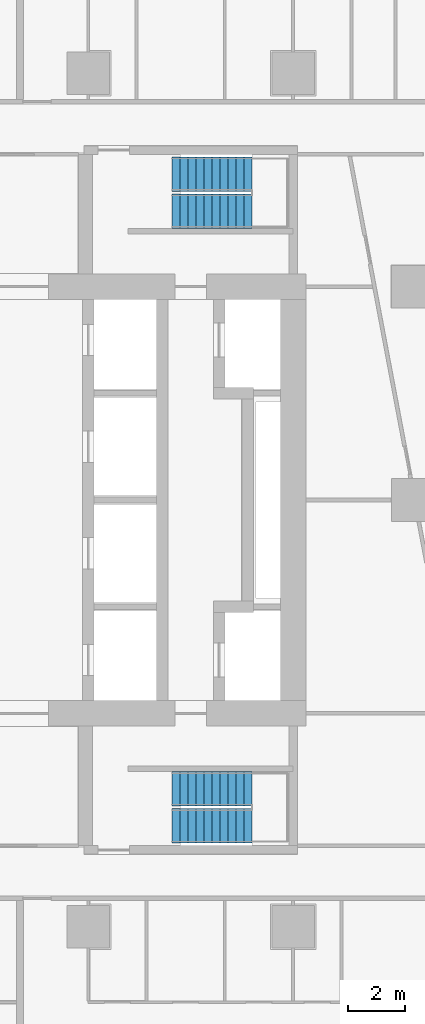
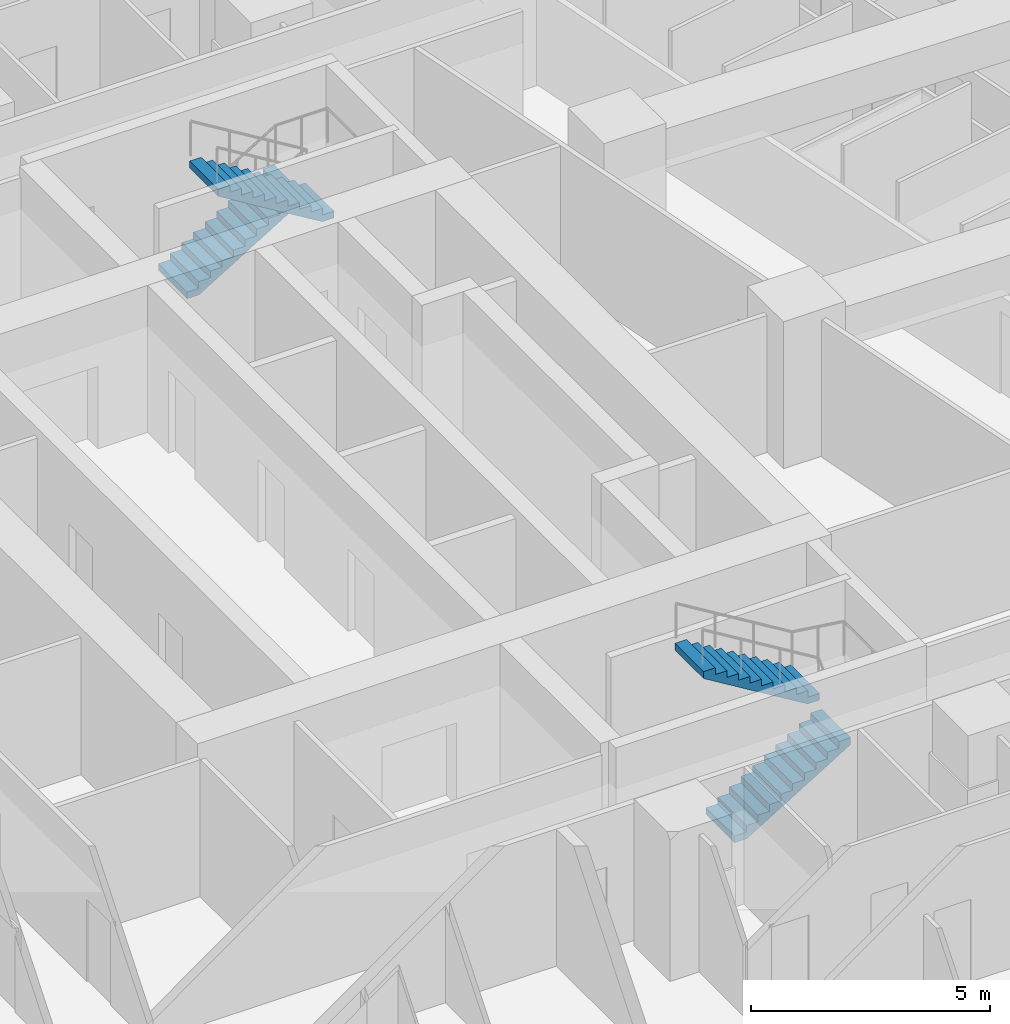
# One storey, part 13 of 15: 4 stair flights, 2 elements without a shape of their own.
"""IFC4 building model written with IfcOpenShell, lengths in metres."""

from ifc_helpers import new_model, si_unit, direction, frame, origin, place, context, subcontext, project, spatial, triangles, material, type_object, element, aggregate, save


model = new_model("IFC4")

# Units and contexts
model_context = context("Model", 3, precision=1e-05, world=origin(), true_north=direction((0.0, 1.0)))
body_context = subcontext(model_context, "Body", "Model", "MODEL_VIEW")
ifc_project = project(units=[si_unit("LENGTHUNIT", "METRE"), si_unit("AREAUNIT", "SQUARE_METRE"), si_unit("VOLUMEUNIT", "CUBIC_METRE"), si_unit("PLANEANGLEUNIT", "RADIAN"), si_unit("MASSUNIT", "GRAM", prefix="KILO")], contexts=[model_context])

# Site, building, storey
site_placement = place(None, origin())
site = spatial("IfcSite", under=ifc_project, at=site_placement, CompositionType="ELEMENT")
building_placement = place(site_placement, origin())
building = spatial("IfcBuilding", under=site, at=building_placement, Name="Sheger Commons Tower", CompositionType="ELEMENT")
storey_placement = place(building_placement, frame((0.0, 0.0, 158.300048828125)))
storey = spatial("IfcBuildingStorey", under=building, at=storey_placement, Name="L40", CompositionType="ELEMENT", Elevation=158.300048828125)

# Stair, stair flights
ifc_material_1 = material(Name="Concrete C35/45", Category="concrete")
stair_type = type_object("IfcStairType", Name="HALF-TURN STAIR 1200 RISE 3750", PredefinedType="HALF_TURN_STAIR", material=ifc_material_1)
stair_1_placement = place(storey_placement, origin())
stair_1 = element("IfcStair", 1, at=stair_1_placement, inside=storey, type_object=stair_type, Name="Stair S1 L40", PredefinedType="HALF_TURN_STAIR")
ifc_material_2 = material(Name="Concrete C35/45", Category="concrete")
stair_flight_type = type_object("IfcStairFlightType", Name="STAIR FLIGHT 1200 11 RISERS OF 170", PredefinedType="STRAIGHT", material=ifc_material_2)
stair_flight_1_placement = place(storey_placement, frame((24.550048828125, 11.050048828125, 0.0), z_axis=(0.0, 0.0, 1.0), x_axis=(1.0, 0.0, 0.0)))
stair_flight_1 = element("IfcStairFlight", 2, at=stair_flight_1_placement, type_object=stair_flight_type, Name="S1 flight 1", NumberOfRisers=11, NumberOfTreads=10, PredefinedType="STRAIGHT", RiserHeight=0.170454545, TreadLength=0.28, context=body_context, shape_type="Tessellation", body=[
    triangles([(0.0, 0.5999755859375, 0.0), (0.0, 0.5999755859375, 0.17041015625), (0.280029296875, 0.5999755859375, 0.17041015625), (0.280029296875, 0.5999755859375, 0.3408203125), (0.56005859375, 0.5999755859375, 0.3408203125), (0.56005859375, 0.5999755859375, 0.511474609375), (0.840087890625, 0.5999755859375, 0.511474609375), (0.840087890625, 0.5999755859375, 0.681884765625), (1.1201171875, 0.5999755859375, 0.681884765625), (1.1201171875, 0.5999755859375, 0.852294921875), (1.39990234375, 0.5999755859375, 0.852294921875), (1.39990234375, 0.5999755859375, 1.022705078125), (1.679931640625, 0.5999755859375, 1.022705078125), (1.679931640625, 0.5999755859375, 1.193115234375), (1.9599609375, 0.5999755859375, 1.193115234375), (1.9599609375, 0.5999755859375, 1.363525390625), (2.239990234375, 0.5999755859375, 1.363525390625), (2.239990234375, 0.5999755859375, 1.5341796875), (2.52001953125, 0.5999755859375, 1.5341796875), (2.52001953125, 0.5999755859375, 1.70458984375), (2.800048828125, 0.5999755859375, 1.70458984375), (2.800048828125, 0.5999755859375, 1.529052734375), (0.288330078125, 0.5999755859375, 0.0), (0.0, -0.5999755859375, 0.0), (0.0, -0.5999755859375, 0.17041015625), (0.280029296875, -0.5999755859375, 0.17041015625), (0.280029296875, -0.5999755859375, 0.3408203125), (0.56005859375, -0.5999755859375, 0.3408203125), (0.56005859375, -0.5999755859375, 0.511474609375), (0.840087890625, -0.5999755859375, 0.511474609375), (0.840087890625, -0.5999755859375, 0.681884765625), (1.1201171875, -0.5999755859375, 0.681884765625), (1.1201171875, -0.5999755859375, 0.852294921875), (1.39990234375, -0.5999755859375, 0.852294921875), (1.39990234375, -0.5999755859375, 1.022705078125), (1.679931640625, -0.5999755859375, 1.022705078125), (1.679931640625, -0.5999755859375, 1.193115234375), (1.9599609375, -0.5999755859375, 1.193115234375), (1.9599609375, -0.5999755859375, 1.363525390625), (2.239990234375, -0.5999755859375, 1.363525390625), (2.239990234375, -0.5999755859375, 1.5341796875), (2.52001953125, -0.5999755859375, 1.5341796875), (2.52001953125, -0.5999755859375, 1.70458984375), (2.800048828125, -0.5999755859375, 1.70458984375), (2.800048828125, -0.5999755859375, 1.529052734375), (0.288330078125, -0.5999755859375, 0.0), (0.0, 0.0, 0.085205078125), (0.1400146484375, 0.0, 0.17041015625), (0.280029296875, 0.0, 0.255615234375), (0.4200439453125, 0.0, 0.3408203125), (0.56005859375, 0.0, 0.4261474609375), (0.7000732421875, 0.0, 0.511474609375), (0.840087890625, 0.0, 0.5966796875), (0.9801025390625, 0.0, 0.681884765625), (1.1201171875, 0.0, 0.76708984375), (1.260009765625, 0.0, 0.852294921875), (1.39990234375, 0.0, 0.9375), (1.5399169921875, 0.0, 1.022705078125), (1.679931640625, 0.0, 1.10791015625), (1.8199462890625, 0.0, 1.193115234375), (1.9599609375, 0.0, 1.2783203125), (2.0999755859375, 0.0, 1.363525390625), (2.239990234375, 0.0, 1.4488525390625), (2.3800048828125, 0.0, 1.5341796875), (2.52001953125, 0.0, 1.619384765625), (2.6600341796875, 0.0, 1.70458984375), (2.800048828125, 0.0, 1.6168212890625), (1.544189453125, 0.0, 0.7645263671875), (0.1441650390625, 0.0, 0.0)], [[1, 22, 23], [24, 46, 45], [22, 20, 21], [45, 44, 43], [22, 19, 20], [45, 43, 42], [22, 18, 19], [45, 42, 41], [22, 17, 18], [45, 41, 40], [17, 15, 16], [40, 39, 38], [22, 15, 17], [45, 40, 38], [15, 13, 14], [38, 37, 36], [22, 13, 15], [45, 38, 36], [13, 11, 12], [36, 35, 34], [22, 11, 13], [45, 36, 34], [11, 9, 10], [34, 33, 32], [22, 9, 11], [45, 34, 32], [9, 7, 8], [32, 31, 30], [22, 7, 9], [45, 32, 30], [7, 5, 6], [30, 29, 28], [22, 5, 7], [45, 30, 28], [5, 3, 4], [28, 27, 26], [22, 3, 5], [45, 28, 26], [1, 3, 22], [24, 45, 26], [3, 1, 2], [26, 25, 24], [1, 47, 2], [2, 47, 25], [25, 47, 24], [24, 47, 1], [2, 48, 3], [3, 48, 26], [26, 48, 25], [25, 48, 2], [3, 49, 4], [4, 49, 27], [27, 49, 26], [26, 49, 3], [4, 50, 5], [5, 50, 28], [28, 50, 27], [27, 50, 4], [5, 51, 6], [6, 51, 29], [29, 51, 28], [28, 51, 5], [6, 52, 7], [7, 52, 30], [30, 52, 29], [29, 52, 6], [7, 53, 8], [8, 53, 31], [31, 53, 30], [30, 53, 7], [8, 54, 9], [9, 54, 32], [32, 54, 31], [31, 54, 8], [9, 55, 10], [10, 55, 33], [33, 55, 32], [32, 55, 9], [10, 56, 11], [11, 56, 34], [34, 56, 33], [33, 56, 10], [11, 57, 12], [12, 57, 35], [35, 57, 34], [34, 57, 11], [12, 58, 13], [13, 58, 36], [36, 58, 35], [35, 58, 12], [13, 59, 14], [14, 59, 37], [37, 59, 36], [36, 59, 13], [14, 60, 15], [15, 60, 38], [38, 60, 37], [37, 60, 14], [15, 61, 16], [16, 61, 39], [39, 61, 38], [38, 61, 15], [16, 62, 17], [17, 62, 40], [40, 62, 39], [39, 62, 16], [17, 63, 18], [18, 63, 41], [41, 63, 40], [40, 63, 17], [18, 64, 19], [19, 64, 42], [42, 64, 41], [41, 64, 18], [19, 65, 20], [20, 65, 43], [43, 65, 42], [42, 65, 19], [20, 66, 21], [21, 66, 44], [44, 66, 43], [43, 66, 20], [21, 67, 22], [22, 67, 45], [45, 67, 44], [44, 67, 21], [22, 68, 23], [23, 68, 46], [46, 68, 45], [45, 68, 22], [23, 69, 1], [1, 69, 24], [24, 69, 46], [46, 69, 23]], closed=True),
])
stair_flight_2_placement = place(storey_placement, frame((27.35009765625, 12.35009765625, 1.875), z_axis=(0.0, 0.0, 1.0), x_axis=(-1.0, 0.0, 0.0)))
stair_flight_2 = element("IfcStairFlight", 3, at=stair_flight_2_placement, type_object=stair_flight_type, Name="S1 flight 2", NumberOfRisers=11, NumberOfTreads=10, PredefinedType="STRAIGHT", RiserHeight=0.170454545, TreadLength=0.28, context=body_context, shape_type="Tessellation", body=[
    triangles([(0.0, 0.5999755859375, 0.0), (0.0, 0.5999755859375, 0.17041015625), (0.280029296875, 0.5999755859375, 0.17041015625), (0.280029296875, 0.5999755859375, 0.3408203125), (0.56005859375, 0.5999755859375, 0.3408203125), (0.56005859375, 0.5999755859375, 0.511474609375), (0.840087890625, 0.5999755859375, 0.511474609375), (0.840087890625, 0.5999755859375, 0.681884765625), (1.1201171875, 0.5999755859375, 0.681884765625), (1.1201171875, 0.5999755859375, 0.852294921875), (1.39990234375, 0.5999755859375, 0.852294921875), (1.39990234375, 0.5999755859375, 1.022705078125), (1.679931640625, 0.5999755859375, 1.022705078125), (1.679931640625, 0.5999755859375, 1.193115234375), (1.9599609375, 0.5999755859375, 1.193115234375), (1.9599609375, 0.5999755859375, 1.363525390625), (2.239990234375, 0.5999755859375, 1.363525390625), (2.239990234375, 0.5999755859375, 1.5341796875), (2.52001953125, 0.5999755859375, 1.5341796875), (2.52001953125, 0.5999755859375, 1.70458984375), (2.800048828125, 0.5999755859375, 1.70458984375), (2.800048828125, 0.5999755859375, 1.529052734375), (0.288330078125, 0.5999755859375, 0.0), (0.0, -0.5999755859375, 0.0), (0.0, -0.5999755859375, 0.17041015625), (0.280029296875, -0.5999755859375, 0.17041015625), (0.280029296875, -0.5999755859375, 0.3408203125), (0.56005859375, -0.5999755859375, 0.3408203125), (0.56005859375, -0.5999755859375, 0.511474609375), (0.840087890625, -0.5999755859375, 0.511474609375), (0.840087890625, -0.5999755859375, 0.681884765625), (1.1201171875, -0.5999755859375, 0.681884765625), (1.1201171875, -0.5999755859375, 0.852294921875), (1.39990234375, -0.5999755859375, 0.852294921875), (1.39990234375, -0.5999755859375, 1.022705078125), (1.679931640625, -0.5999755859375, 1.022705078125), (1.679931640625, -0.5999755859375, 1.193115234375), (1.9599609375, -0.5999755859375, 1.193115234375), (1.9599609375, -0.5999755859375, 1.363525390625), (2.239990234375, -0.5999755859375, 1.363525390625), (2.239990234375, -0.5999755859375, 1.5341796875), (2.52001953125, -0.5999755859375, 1.5341796875), (2.52001953125, -0.5999755859375, 1.70458984375), (2.800048828125, -0.5999755859375, 1.70458984375), (2.800048828125, -0.5999755859375, 1.529052734375), (0.288330078125, -0.5999755859375, 0.0), (0.0, 0.0, 0.085205078125), (0.1400146484375, 0.0, 0.17041015625), (0.280029296875, 0.0, 0.255615234375), (0.4200439453125, 0.0, 0.3408203125), (0.56005859375, 0.0, 0.4261474609375), (0.7000732421875, 0.0, 0.511474609375), (0.840087890625, 0.0, 0.5966796875), (0.9801025390625, 0.0, 0.681884765625), (1.1201171875, 0.0, 0.76708984375), (1.260009765625, 0.0, 0.852294921875), (1.39990234375, 0.0, 0.9375), (1.5399169921875, 0.0, 1.022705078125), (1.679931640625, 0.0, 1.10791015625), (1.8199462890625, 0.0, 1.193115234375), (1.9599609375, 0.0, 1.2783203125), (2.0999755859375, 0.0, 1.363525390625), (2.239990234375, 0.0, 1.4488525390625), (2.3800048828125, 0.0, 1.5341796875), (2.52001953125, 0.0, 1.619384765625), (2.6600341796875, 0.0, 1.70458984375), (2.800048828125, 0.0, 1.6168212890625), (1.544189453125, 0.0, 0.7645263671875), (0.1441650390625, 0.0, 0.0)], [[1, 22, 23], [24, 46, 45], [22, 20, 21], [45, 44, 43], [22, 19, 20], [45, 43, 42], [22, 18, 19], [45, 42, 41], [22, 17, 18], [45, 41, 40], [17, 15, 16], [40, 39, 38], [22, 15, 17], [45, 40, 38], [15, 13, 14], [38, 37, 36], [22, 13, 15], [45, 38, 36], [13, 11, 12], [36, 35, 34], [22, 11, 13], [45, 36, 34], [11, 9, 10], [34, 33, 32], [22, 9, 11], [45, 34, 32], [9, 7, 8], [32, 31, 30], [22, 7, 9], [45, 32, 30], [7, 5, 6], [30, 29, 28], [22, 5, 7], [45, 30, 28], [5, 3, 4], [28, 27, 26], [22, 3, 5], [45, 28, 26], [1, 3, 22], [24, 45, 26], [3, 1, 2], [26, 25, 24], [1, 47, 2], [2, 47, 25], [25, 47, 24], [24, 47, 1], [2, 48, 3], [3, 48, 26], [26, 48, 25], [25, 48, 2], [3, 49, 4], [4, 49, 27], [27, 49, 26], [26, 49, 3], [4, 50, 5], [5, 50, 28], [28, 50, 27], [27, 50, 4], [5, 51, 6], [6, 51, 29], [29, 51, 28], [28, 51, 5], [6, 52, 7], [7, 52, 30], [30, 52, 29], [29, 52, 6], [7, 53, 8], [8, 53, 31], [31, 53, 30], [30, 53, 7], [8, 54, 9], [9, 54, 32], [32, 54, 31], [31, 54, 8], [9, 55, 10], [10, 55, 33], [33, 55, 32], [32, 55, 9], [10, 56, 11], [11, 56, 34], [34, 56, 33], [33, 56, 10], [11, 57, 12], [12, 57, 35], [35, 57, 34], [34, 57, 11], [12, 58, 13], [13, 58, 36], [36, 58, 35], [35, 58, 12], [13, 59, 14], [14, 59, 37], [37, 59, 36], [36, 59, 13], [14, 60, 15], [15, 60, 38], [38, 60, 37], [37, 60, 14], [15, 61, 16], [16, 61, 39], [39, 61, 38], [38, 61, 15], [16, 62, 17], [17, 62, 40], [40, 62, 39], [39, 62, 16], [17, 63, 18], [18, 63, 41], [41, 63, 40], [40, 63, 17], [18, 64, 19], [19, 64, 42], [42, 64, 41], [41, 64, 18], [19, 65, 20], [20, 65, 43], [43, 65, 42], [42, 65, 19], [20, 66, 21], [21, 66, 44], [44, 66, 43], [43, 66, 20], [21, 67, 22], [22, 67, 45], [45, 67, 44], [44, 67, 21], [22, 68, 23], [23, 68, 46], [46, 68, 45], [45, 68, 22], [23, 69, 1], [1, 69, 24], [24, 69, 46], [46, 69, 23]], closed=True),
])
aggregate(stair_1, [stair_flight_1, stair_flight_2])

stair_2_placement = place(storey_placement, origin())
stair_2 = element("IfcStair", 4, at=stair_2_placement, inside=storey, type_object=stair_type, Name="Stair S2 L40", PredefinedType="HALF_TURN_STAIR")
stair_flight_3_placement = place(storey_placement, frame((24.550048828125, 33.949951171875, 0.0), z_axis=(0.0, 0.0, 1.0), x_axis=(1.0, 0.0, 0.0)))
stair_flight_3 = element("IfcStairFlight", 5, at=stair_flight_3_placement, type_object=stair_flight_type, Name="S2 flight 1", NumberOfRisers=11, NumberOfTreads=10, PredefinedType="STRAIGHT", RiserHeight=0.170454545, TreadLength=0.28, context=body_context, shape_type="Tessellation", body=[
    triangles([(0.0, 0.5999755859375, 0.0), (0.0, 0.5999755859375, 0.17041015625), (0.280029296875, 0.5999755859375, 0.17041015625), (0.280029296875, 0.5999755859375, 0.3408203125), (0.56005859375, 0.5999755859375, 0.3408203125), (0.56005859375, 0.5999755859375, 0.511474609375), (0.840087890625, 0.5999755859375, 0.511474609375), (0.840087890625, 0.5999755859375, 0.681884765625), (1.1201171875, 0.5999755859375, 0.681884765625), (1.1201171875, 0.5999755859375, 0.852294921875), (1.39990234375, 0.5999755859375, 0.852294921875), (1.39990234375, 0.5999755859375, 1.022705078125), (1.679931640625, 0.5999755859375, 1.022705078125), (1.679931640625, 0.5999755859375, 1.193115234375), (1.9599609375, 0.5999755859375, 1.193115234375), (1.9599609375, 0.5999755859375, 1.363525390625), (2.239990234375, 0.5999755859375, 1.363525390625), (2.239990234375, 0.5999755859375, 1.5341796875), (2.52001953125, 0.5999755859375, 1.5341796875), (2.52001953125, 0.5999755859375, 1.70458984375), (2.800048828125, 0.5999755859375, 1.70458984375), (2.800048828125, 0.5999755859375, 1.529052734375), (0.288330078125, 0.5999755859375, 0.0), (0.0, -0.5999755859375, 0.0), (0.0, -0.5999755859375, 0.17041015625), (0.280029296875, -0.5999755859375, 0.17041015625), (0.280029296875, -0.5999755859375, 0.3408203125), (0.56005859375, -0.5999755859375, 0.3408203125), (0.56005859375, -0.5999755859375, 0.511474609375), (0.840087890625, -0.5999755859375, 0.511474609375), (0.840087890625, -0.5999755859375, 0.681884765625), (1.1201171875, -0.5999755859375, 0.681884765625), (1.1201171875, -0.5999755859375, 0.852294921875), (1.39990234375, -0.5999755859375, 0.852294921875), (1.39990234375, -0.5999755859375, 1.022705078125), (1.679931640625, -0.5999755859375, 1.022705078125), (1.679931640625, -0.5999755859375, 1.193115234375), (1.9599609375, -0.5999755859375, 1.193115234375), (1.9599609375, -0.5999755859375, 1.363525390625), (2.239990234375, -0.5999755859375, 1.363525390625), (2.239990234375, -0.5999755859375, 1.5341796875), (2.52001953125, -0.5999755859375, 1.5341796875), (2.52001953125, -0.5999755859375, 1.70458984375), (2.800048828125, -0.5999755859375, 1.70458984375), (2.800048828125, -0.5999755859375, 1.529052734375), (0.288330078125, -0.5999755859375, 0.0), (0.0, 0.0, 0.085205078125), (0.1400146484375, 0.0, 0.17041015625), (0.280029296875, 0.0, 0.255615234375), (0.4200439453125, 0.0, 0.3408203125), (0.56005859375, 0.0, 0.4261474609375), (0.7000732421875, 0.0, 0.511474609375), (0.840087890625, 0.0, 0.5966796875), (0.9801025390625, 0.0, 0.681884765625), (1.1201171875, 0.0, 0.76708984375), (1.260009765625, 0.0, 0.852294921875), (1.39990234375, 0.0, 0.9375), (1.5399169921875, 0.0, 1.022705078125), (1.679931640625, 0.0, 1.10791015625), (1.8199462890625, 0.0, 1.193115234375), (1.9599609375, 0.0, 1.2783203125), (2.0999755859375, 0.0, 1.363525390625), (2.239990234375, 0.0, 1.4488525390625), (2.3800048828125, 0.0, 1.5341796875), (2.52001953125, 0.0, 1.619384765625), (2.6600341796875, 0.0, 1.70458984375), (2.800048828125, 0.0, 1.6168212890625), (1.544189453125, 0.0, 0.7645263671875), (0.1441650390625, 0.0, 0.0)], [[1, 22, 23], [24, 46, 45], [22, 20, 21], [45, 44, 43], [22, 19, 20], [45, 43, 42], [22, 18, 19], [45, 42, 41], [22, 17, 18], [45, 41, 40], [17, 15, 16], [40, 39, 38], [22, 15, 17], [45, 40, 38], [15, 13, 14], [38, 37, 36], [22, 13, 15], [45, 38, 36], [13, 11, 12], [36, 35, 34], [22, 11, 13], [45, 36, 34], [11, 9, 10], [34, 33, 32], [22, 9, 11], [45, 34, 32], [9, 7, 8], [32, 31, 30], [22, 7, 9], [45, 32, 30], [7, 5, 6], [30, 29, 28], [22, 5, 7], [45, 30, 28], [5, 3, 4], [28, 27, 26], [22, 3, 5], [45, 28, 26], [1, 3, 22], [24, 45, 26], [3, 1, 2], [26, 25, 24], [1, 47, 2], [2, 47, 25], [25, 47, 24], [24, 47, 1], [2, 48, 3], [3, 48, 26], [26, 48, 25], [25, 48, 2], [3, 49, 4], [4, 49, 27], [27, 49, 26], [26, 49, 3], [4, 50, 5], [5, 50, 28], [28, 50, 27], [27, 50, 4], [5, 51, 6], [6, 51, 29], [29, 51, 28], [28, 51, 5], [6, 52, 7], [7, 52, 30], [30, 52, 29], [29, 52, 6], [7, 53, 8], [8, 53, 31], [31, 53, 30], [30, 53, 7], [8, 54, 9], [9, 54, 32], [32, 54, 31], [31, 54, 8], [9, 55, 10], [10, 55, 33], [33, 55, 32], [32, 55, 9], [10, 56, 11], [11, 56, 34], [34, 56, 33], [33, 56, 10], [11, 57, 12], [12, 57, 35], [35, 57, 34], [34, 57, 11], [12, 58, 13], [13, 58, 36], [36, 58, 35], [35, 58, 12], [13, 59, 14], [14, 59, 37], [37, 59, 36], [36, 59, 13], [14, 60, 15], [15, 60, 38], [38, 60, 37], [37, 60, 14], [15, 61, 16], [16, 61, 39], [39, 61, 38], [38, 61, 15], [16, 62, 17], [17, 62, 40], [40, 62, 39], [39, 62, 16], [17, 63, 18], [18, 63, 41], [41, 63, 40], [40, 63, 17], [18, 64, 19], [19, 64, 42], [42, 64, 41], [41, 64, 18], [19, 65, 20], [20, 65, 43], [43, 65, 42], [42, 65, 19], [20, 66, 21], [21, 66, 44], [44, 66, 43], [43, 66, 20], [21, 67, 22], [22, 67, 45], [45, 67, 44], [44, 67, 21], [22, 68, 23], [23, 68, 46], [46, 68, 45], [45, 68, 22], [23, 69, 1], [1, 69, 24], [24, 69, 46], [46, 69, 23]], closed=True),
])
stair_flight_4_placement = place(storey_placement, frame((27.35009765625, 32.64990234375, 1.875), z_axis=(0.0, 0.0, 1.0), x_axis=(-1.0, 0.0, 0.0)))
stair_flight_4 = element("IfcStairFlight", 6, at=stair_flight_4_placement, type_object=stair_flight_type, Name="S2 flight 2", NumberOfRisers=11, NumberOfTreads=10, PredefinedType="STRAIGHT", RiserHeight=0.170454545, TreadLength=0.28, context=body_context, shape_type="Tessellation", body=[
    triangles([(0.0, 0.5999755859375, 0.0), (0.0, 0.5999755859375, 0.17041015625), (0.280029296875, 0.5999755859375, 0.17041015625), (0.280029296875, 0.5999755859375, 0.3408203125), (0.56005859375, 0.5999755859375, 0.3408203125), (0.56005859375, 0.5999755859375, 0.511474609375), (0.840087890625, 0.5999755859375, 0.511474609375), (0.840087890625, 0.5999755859375, 0.681884765625), (1.1201171875, 0.5999755859375, 0.681884765625), (1.1201171875, 0.5999755859375, 0.852294921875), (1.39990234375, 0.5999755859375, 0.852294921875), (1.39990234375, 0.5999755859375, 1.022705078125), (1.679931640625, 0.5999755859375, 1.022705078125), (1.679931640625, 0.5999755859375, 1.193115234375), (1.9599609375, 0.5999755859375, 1.193115234375), (1.9599609375, 0.5999755859375, 1.363525390625), (2.239990234375, 0.5999755859375, 1.363525390625), (2.239990234375, 0.5999755859375, 1.5341796875), (2.52001953125, 0.5999755859375, 1.5341796875), (2.52001953125, 0.5999755859375, 1.70458984375), (2.800048828125, 0.5999755859375, 1.70458984375), (2.800048828125, 0.5999755859375, 1.529052734375), (0.288330078125, 0.5999755859375, 0.0), (0.0, -0.5999755859375, 0.0), (0.0, -0.5999755859375, 0.17041015625), (0.280029296875, -0.5999755859375, 0.17041015625), (0.280029296875, -0.5999755859375, 0.3408203125), (0.56005859375, -0.5999755859375, 0.3408203125), (0.56005859375, -0.5999755859375, 0.511474609375), (0.840087890625, -0.5999755859375, 0.511474609375), (0.840087890625, -0.5999755859375, 0.681884765625), (1.1201171875, -0.5999755859375, 0.681884765625), (1.1201171875, -0.5999755859375, 0.852294921875), (1.39990234375, -0.5999755859375, 0.852294921875), (1.39990234375, -0.5999755859375, 1.022705078125), (1.679931640625, -0.5999755859375, 1.022705078125), (1.679931640625, -0.5999755859375, 1.193115234375), (1.9599609375, -0.5999755859375, 1.193115234375), (1.9599609375, -0.5999755859375, 1.363525390625), (2.239990234375, -0.5999755859375, 1.363525390625), (2.239990234375, -0.5999755859375, 1.5341796875), (2.52001953125, -0.5999755859375, 1.5341796875), (2.52001953125, -0.5999755859375, 1.70458984375), (2.800048828125, -0.5999755859375, 1.70458984375), (2.800048828125, -0.5999755859375, 1.529052734375), (0.288330078125, -0.5999755859375, 0.0), (0.0, 0.0, 0.085205078125), (0.1400146484375, 0.0, 0.17041015625), (0.280029296875, 0.0, 0.255615234375), (0.4200439453125, 0.0, 0.3408203125), (0.56005859375, 0.0, 0.4261474609375), (0.7000732421875, 0.0, 0.511474609375), (0.840087890625, 0.0, 0.5966796875), (0.9801025390625, 0.0, 0.681884765625), (1.1201171875, 0.0, 0.76708984375), (1.260009765625, 0.0, 0.852294921875), (1.39990234375, 0.0, 0.9375), (1.5399169921875, 0.0, 1.022705078125), (1.679931640625, 0.0, 1.10791015625), (1.8199462890625, 0.0, 1.193115234375), (1.9599609375, 0.0, 1.2783203125), (2.0999755859375, 0.0, 1.363525390625), (2.239990234375, 0.0, 1.4488525390625), (2.3800048828125, 0.0, 1.5341796875), (2.52001953125, 0.0, 1.619384765625), (2.6600341796875, 0.0, 1.70458984375), (2.800048828125, 0.0, 1.6168212890625), (1.544189453125, 0.0, 0.7645263671875), (0.1441650390625, 0.0, 0.0)], [[1, 22, 23], [24, 46, 45], [22, 20, 21], [45, 44, 43], [22, 19, 20], [45, 43, 42], [22, 18, 19], [45, 42, 41], [22, 17, 18], [45, 41, 40], [17, 15, 16], [40, 39, 38], [22, 15, 17], [45, 40, 38], [15, 13, 14], [38, 37, 36], [22, 13, 15], [45, 38, 36], [13, 11, 12], [36, 35, 34], [22, 11, 13], [45, 36, 34], [11, 9, 10], [34, 33, 32], [22, 9, 11], [45, 34, 32], [9, 7, 8], [32, 31, 30], [22, 7, 9], [45, 32, 30], [7, 5, 6], [30, 29, 28], [22, 5, 7], [45, 30, 28], [5, 3, 4], [28, 27, 26], [22, 3, 5], [45, 28, 26], [1, 3, 22], [24, 45, 26], [3, 1, 2], [26, 25, 24], [1, 47, 2], [2, 47, 25], [25, 47, 24], [24, 47, 1], [2, 48, 3], [3, 48, 26], [26, 48, 25], [25, 48, 2], [3, 49, 4], [4, 49, 27], [27, 49, 26], [26, 49, 3], [4, 50, 5], [5, 50, 28], [28, 50, 27], [27, 50, 4], [5, 51, 6], [6, 51, 29], [29, 51, 28], [28, 51, 5], [6, 52, 7], [7, 52, 30], [30, 52, 29], [29, 52, 6], [7, 53, 8], [8, 53, 31], [31, 53, 30], [30, 53, 7], [8, 54, 9], [9, 54, 32], [32, 54, 31], [31, 54, 8], [9, 55, 10], [10, 55, 33], [33, 55, 32], [32, 55, 9], [10, 56, 11], [11, 56, 34], [34, 56, 33], [33, 56, 10], [11, 57, 12], [12, 57, 35], [35, 57, 34], [34, 57, 11], [12, 58, 13], [13, 58, 36], [36, 58, 35], [35, 58, 12], [13, 59, 14], [14, 59, 37], [37, 59, 36], [36, 59, 13], [14, 60, 15], [15, 60, 38], [38, 60, 37], [37, 60, 14], [15, 61, 16], [16, 61, 39], [39, 61, 38], [38, 61, 15], [16, 62, 17], [17, 62, 40], [40, 62, 39], [39, 62, 16], [17, 63, 18], [18, 63, 41], [41, 63, 40], [40, 63, 17], [18, 64, 19], [19, 64, 42], [42, 64, 41], [41, 64, 18], [19, 65, 20], [20, 65, 43], [43, 65, 42], [42, 65, 19], [20, 66, 21], [21, 66, 44], [44, 66, 43], [43, 66, 20], [21, 67, 22], [22, 67, 45], [45, 67, 44], [44, 67, 21], [22, 68, 23], [23, 68, 46], [46, 68, 45], [45, 68, 22], [23, 69, 1], [1, 69, 24], [24, 69, 46], [46, 69, 23]], closed=True),
])
aggregate(stair_2, [stair_flight_3, stair_flight_4])

save(model, "model.ifc")
